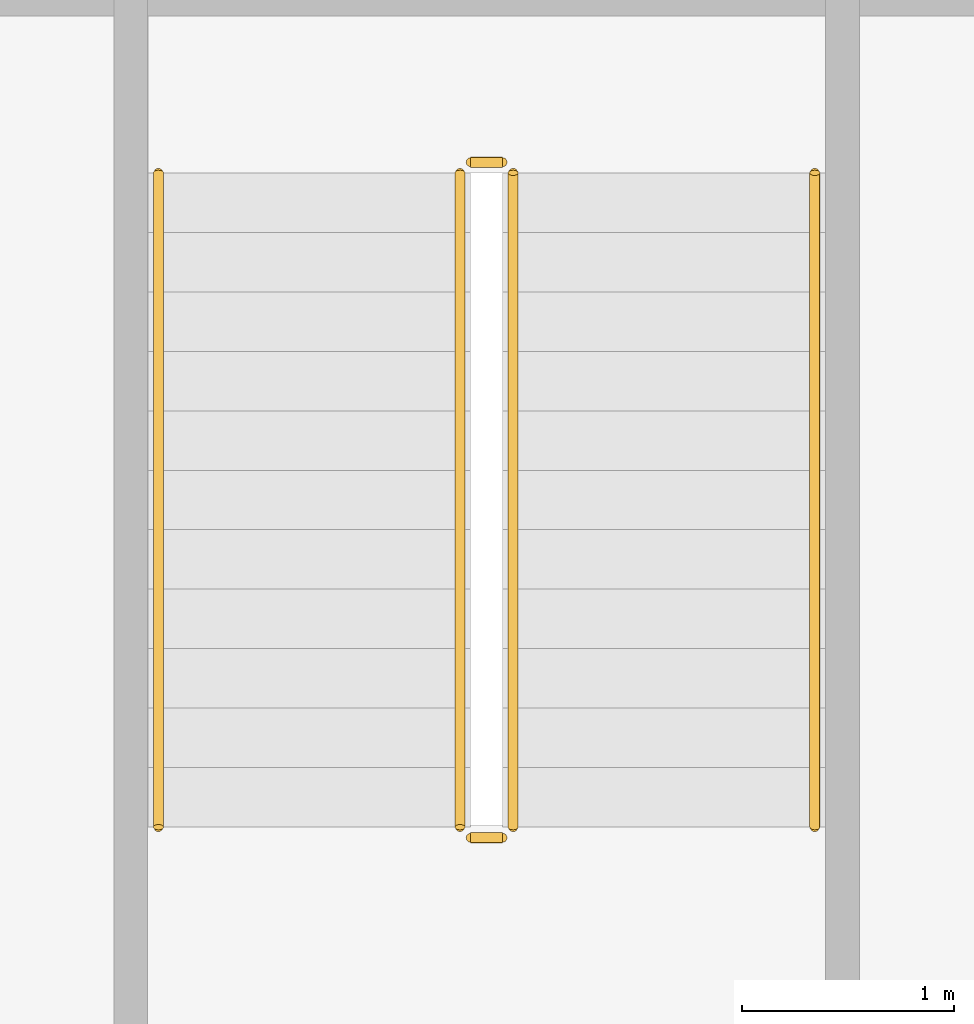
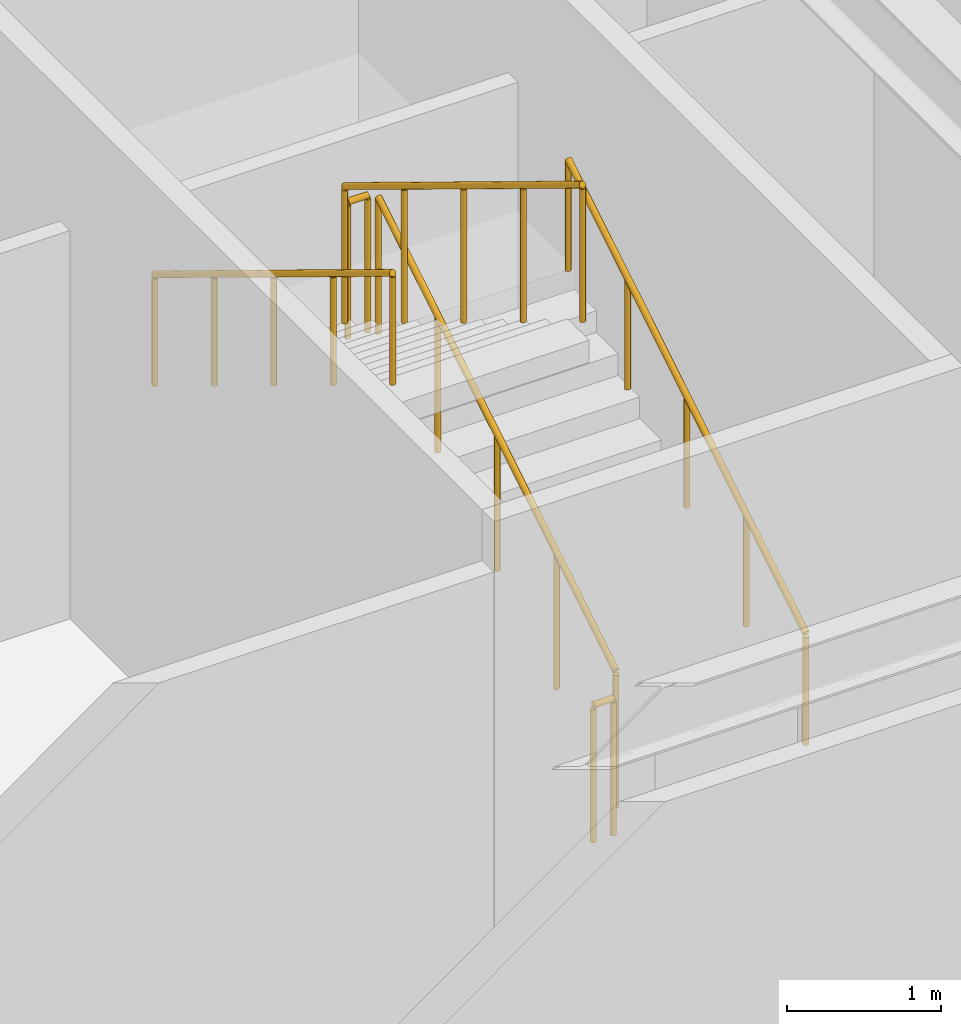
# One storey, part 39 of 39: 6 railings.
"""IFC4 building model written with IfcOpenShell, lengths in metres."""

from ifc_helpers import new_model, si_unit, direction, frame, origin, origin_2d, place, context, subcontext, project, spatial, circle, extrude, material, type_object, element, save


model = new_model("IFC4")

# Units and contexts
model_context = context("Model", 3, precision=1e-05, world=origin(), true_north=direction((0.0, 1.0)))
body_context = subcontext(model_context, "Body", "Model", "MODEL_VIEW")
ifc_project = project(units=[si_unit("LENGTHUNIT", "METRE"), si_unit("AREAUNIT", "SQUARE_METRE"), si_unit("VOLUMEUNIT", "CUBIC_METRE"), si_unit("PLANEANGLEUNIT", "RADIAN"), si_unit("MASSUNIT", "GRAM", prefix="KILO")], contexts=[model_context])

# Site, building, storey
site_placement = place(None, origin())
site = spatial("IfcSite", under=ifc_project, at=site_placement, CompositionType="ELEMENT")
building_placement = place(site_placement, origin())
building = spatial("IfcBuilding", under=site, at=building_placement, Name="Kolvaren Belvedere", CompositionType="ELEMENT")
storey_placement = place(building_placement, frame((0.0, 0.0, 15.199951171875)))
storey = spatial("IfcBuildingStorey", under=building, at=storey_placement, Name="L04", CompositionType="ELEMENT", Elevation=15.199951171875)

# Railings
ifc_material_1 = material(Name="Brushed stainless-steel handrail", Category="steel")
railing_type_1 = type_object("IfcRailingType", Name="RL-HANDRAIL-920", PredefinedType="HANDRAIL", material=ifc_material_1)
railing_1_placement = place(storey_placement, frame((25.14990234375, 3.320068359375, 0.1708984375)))
element("IfcRailing", 1, at=railing_1_placement, inside=storey, type_object=railing_type_1, Name="L04 ST-P2 stair handrail 1", PredefinedType="HANDRAIL", context=body_context, shape_type="SweptSolid", body=[
    extrude(circle(Radius=0.02392578125, at=origin_2d()), frame((0.0, 0.0, 0.8759765625), z_axis=(0.0, 0.853647949592, 0.520850437417), x_axis=(-1.0, 0.0, 0.0)), (0.0, 0.0, 1.0), 3.60791015625),
    extrude(circle(Radius=0.02099609375, at=origin_2d()), origin(), (0.0, 0.0, 1.0), 0.851806640625),
    extrude(circle(Radius=0.02099609375, at=origin_2d()), frame((0.0, 0.77001953125, 0.4697265625)), (0.0, 0.0, 1.0), 0.851806640625),
    extrude(circle(Radius=0.02099609375, at=origin_2d()), frame((0.0, 1.5400390625, 0.939453125)), (0.0, 0.0, 1.0), 0.851806640625),
    extrude(circle(Radius=0.02099609375, at=origin_2d()), frame((0.0, 2.309814453125, 1.409423828125)), (0.0, 0.0, 1.0), 0.851806640625),
    extrude(circle(Radius=0.02099609375, at=origin_2d()), frame((0.0, 3.079833984375, 1.879150390625)), (0.0, 0.0, 1.0), 0.851806640625),
])
railing_2_placement = place(storey_placement, frame((22.06005859375, 6.39990234375, 2.220947265625)))
element("IfcRailing", 2, at=railing_2_placement, inside=storey, type_object=railing_type_1, Name="L04 ST-P2 stair handrail 2", PredefinedType="HANDRAIL", context=body_context, shape_type="SweptSolid", body=[
    extrude(circle(Radius=0.02392578125, at=origin_2d()), frame((0.0, 0.0, 0.8759765625), z_axis=(0.0, -0.853647949592, 0.520850437417), x_axis=(1.0, 0.0, 0.0)), (0.0, 0.0, 1.0), 3.60791015625),
    extrude(circle(Radius=0.02099609375, at=origin_2d()), origin(), (0.0, 0.0, 1.0), 0.851806640625),
    extrude(circle(Radius=0.02099609375, at=origin_2d()), frame((0.0, -0.77001953125, 0.4697265625)), (0.0, 0.0, 1.0), 0.851806640625),
    extrude(circle(Radius=0.02099609375, at=origin_2d()), frame((0.0, -1.5400390625, 0.939453125)), (0.0, 0.0, 1.0), 0.851806640625),
    extrude(circle(Radius=0.02099609375, at=origin_2d()), frame((0.0, -2.309814453125, 1.409423828125)), (0.0, 0.0, 1.0), 0.851806640625),
    extrude(circle(Radius=0.02099609375, at=origin_2d()), frame((0.0, -3.079833984375, 1.879150390625)), (0.0, 0.0, 1.0), 0.851806640625),
])
ifc_material_2 = material(Name="Painted tubular steel stair guard", Category="steel")
railing_type_2 = type_object("IfcRailingType", Name="RL-STGUARD-1100", PredefinedType="GUARDRAIL", material=ifc_material_2)
railing_3_placement = place(storey_placement, frame((23.72998046875, 3.320068359375, 0.1708984375)))
element("IfcRailing", 3, at=railing_3_placement, inside=storey, type_object=railing_type_2, Name="L04 ST-P2 stair guard 1", PredefinedType="GUARDRAIL", context=body_context, shape_type="SweptSolid", body=[
    extrude(circle(Radius=0.02392578125, at=origin_2d()), frame((0.0, 0.0, 1.076171875), z_axis=(0.0, 0.853647949592, 0.520850437417), x_axis=(-1.0, 0.0, 0.0)), (0.0, 0.0, 1.0), 3.60791015625),
    extrude(circle(Radius=0.02099609375, at=origin_2d()), origin(), (0.0, 0.0, 1.0), 1.052001953125),
    extrude(circle(Radius=0.02099609375, at=origin_2d()), frame((0.0, 0.77001953125, 0.4697265625)), (0.0, 0.0, 1.0), 1.052001953125),
    extrude(circle(Radius=0.02099609375, at=origin_2d()), frame((0.0, 1.5400390625, 0.939453125)), (0.0, 0.0, 1.0), 1.052001953125),
    extrude(circle(Radius=0.02099609375, at=origin_2d()), frame((0.0, 2.309814453125, 1.409423828125)), (0.0, 0.0, 1.0), 1.052001953125),
    extrude(circle(Radius=0.02099609375, at=origin_2d()), frame((0.0, 3.079833984375, 1.879150390625)), (0.0, 0.0, 1.0), 1.052001953125),
])
railing_4_placement = place(storey_placement, frame((23.679931640625, 6.449951171875, 2.050048828125)))
element("IfcRailing", 4, at=railing_4_placement, inside=storey, type_object=railing_type_2, Name="L04 ST-P2 stair guard 2", PredefinedType="GUARDRAIL", context=body_context, shape_type="SweptSolid", body=[
    extrude(circle(Radius=0.02392578125, at=origin_2d()), frame((0.0, 0.0, 1.076171875), z_axis=(-1.0, 0.0, 0.0), x_axis=(0.0, -1.0, 0.0)), (0.0, 0.0, 1.0), 0.14990234375),
    extrude(circle(Radius=0.02099609375, at=origin_2d()), origin(), (0.0, 0.0, 1.0), 1.052001953125),
    extrude(circle(Radius=0.02099609375, at=origin_2d()), frame((-0.14990234375, 0.0, 0.0)), (0.0, 0.0, 1.0), 1.052001953125),
])
railing_5_placement = place(storey_placement, frame((23.47998046875, 6.39990234375, 2.220947265625)))
element("IfcRailing", 5, at=railing_5_placement, inside=storey, type_object=railing_type_2, Name="L04 ST-P2 stair guard 3", PredefinedType="GUARDRAIL", context=body_context, shape_type="SweptSolid", body=[
    extrude(circle(Radius=0.02392578125, at=origin_2d()), frame((0.0, 0.0, 1.076171875), z_axis=(0.0, -0.853647949592, 0.520850437417), x_axis=(1.0, 0.0, 0.0)), (0.0, 0.0, 1.0), 3.60791015625),
    extrude(circle(Radius=0.02099609375, at=origin_2d()), origin(), (0.0, 0.0, 1.0), 1.052001953125),
    extrude(circle(Radius=0.02099609375, at=origin_2d()), frame((0.0, -0.77001953125, 0.4697265625)), (0.0, 0.0, 1.0), 1.052001953125),
    extrude(circle(Radius=0.02099609375, at=origin_2d()), frame((0.0, -1.5400390625, 0.939453125)), (0.0, 0.0, 1.0), 1.052001953125),
    extrude(circle(Radius=0.02099609375, at=origin_2d()), frame((0.0, -2.309814453125, 1.409423828125)), (0.0, 0.0, 1.0), 1.052001953125),
    extrude(circle(Radius=0.02099609375, at=origin_2d()), frame((0.0, -3.079833984375, 1.879150390625)), (0.0, 0.0, 1.0), 1.052001953125),
])
railing_6_placement = place(storey_placement, frame((23.679931640625, 3.27001953125, 0.0)))
element("IfcRailing", 6, at=railing_6_placement, inside=storey, type_object=railing_type_2, Name="L04 ST-P2 stair guard 4", PredefinedType="GUARDRAIL", context=body_context, shape_type="SweptSolid", body=[
    extrude(circle(Radius=0.02392578125, at=origin_2d()), frame((0.0, 0.0, 1.076171875), z_axis=(-1.0, 0.0, 0.0), x_axis=(0.0, -1.0, 0.0)), (0.0, 0.0, 1.0), 0.14990234375),
    extrude(circle(Radius=0.02099609375, at=origin_2d()), origin(), (0.0, 0.0, 1.0), 1.052001953125),
    extrude(circle(Radius=0.02099609375, at=origin_2d()), frame((-0.14990234375, 0.0, 0.0)), (0.0, 0.0, 1.0), 1.052001953125),
])

save(model, "model.ifc")
